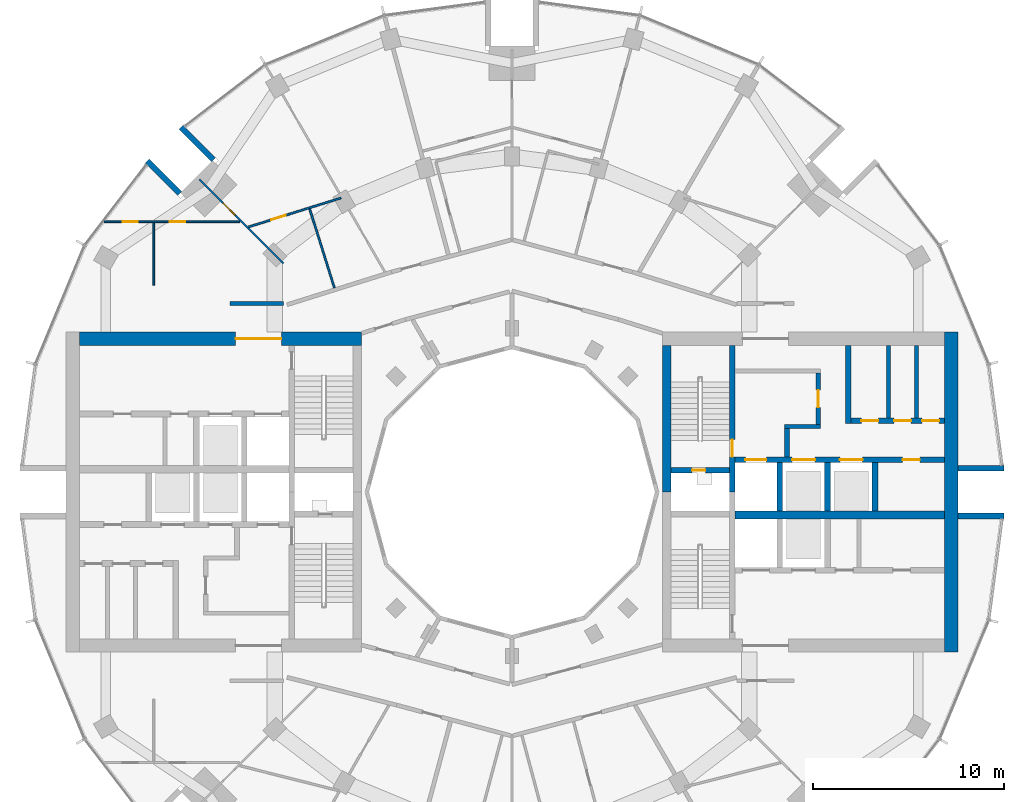
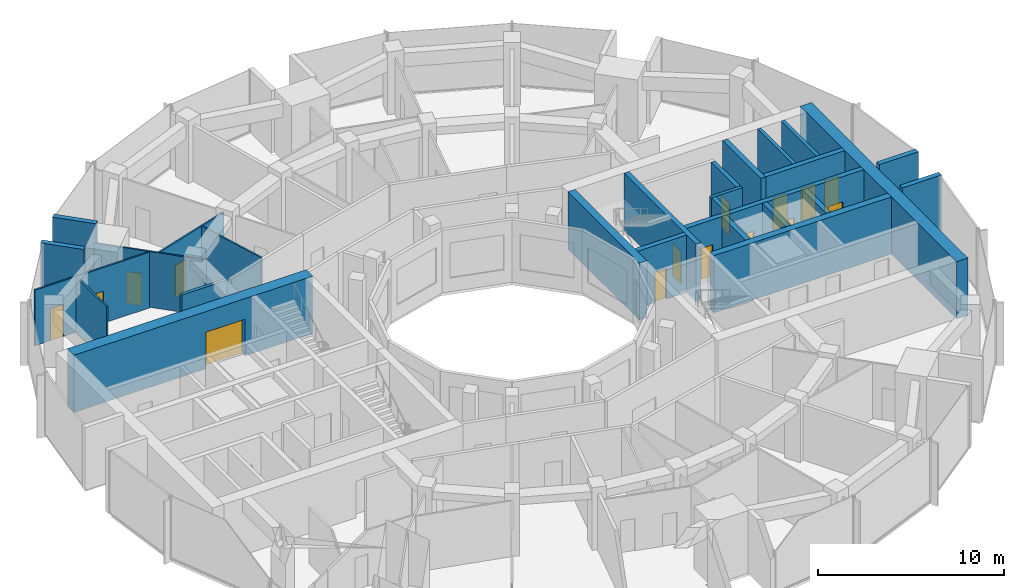
# One storey, part 11 of 15: 27 walls, 15 doors, 15 openings.
"""IFC4 building model written with IfcOpenShell, lengths in metres."""

from ifc_helpers import new_model, si_unit, direction, frame, frame_2d, origin, place, context, subcontext, project, spatial, rectangle, extrude, material, layer, layer_set, type_object, element, fill, save


model = new_model("IFC4")

# Units and contexts
model_context = context("Model", 3, precision=1e-05, world=origin(), true_north=direction((0.0, 1.0)))
body_context = subcontext(model_context, "Body", "Model", "MODEL_VIEW")
ifc_project = project(units=[si_unit("LENGTHUNIT", "METRE"), si_unit("AREAUNIT", "SQUARE_METRE"), si_unit("VOLUMEUNIT", "CUBIC_METRE"), si_unit("PLANEANGLEUNIT", "RADIAN"), si_unit("MASSUNIT", "GRAM", prefix="KILO")], contexts=[model_context])

# Site, building, storey
site_placement = place(None, origin())
site = spatial("IfcSite", under=ifc_project, at=site_placement, CompositionType="ELEMENT")
building_placement = place(site_placement, origin())
building = spatial("IfcBuilding", under=site, at=building_placement, Name="Torre Brocal", CompositionType="ELEMENT")
storey_placement = place(building_placement, frame((0.0, 0.0, 202.800048828125)))
storey = spatial("IfcBuildingStorey", under=building, at=storey_placement, Name="L47", CompositionType="ELEMENT", Elevation=202.800048828125)

# Walls
ifc_material_1 = material(Name="Masonry block", Category="masonry")
ifc_layer_1 = layer(ifc_material_1, 0.199951171875)
ifc_layer_set_1 = layer_set([ifc_layer_1], Name="Masonry block")
wall_type_1 = type_object("IfcWallType", Name="CORE PARTITION 200 UNDER 350 SLAB", PredefinedType="PARTITIONING", material=ifc_layer_set_1)
for number, where, z_axis, x_axis, name in (
    (1, (99.760009765625, 78.89990234375, 0.0), (0.0, 0.0, 1.0), (0.0, 1.0, 0.0), "Wall CP200-S350"),
    (2, (101.22998046875, 78.89990234375, 0.0), (0.0, 0.0, 1.0), (0.0, 1.0, 0.0), "Wall CP200-S350"),
):
    element("IfcWall", number, at=place(storey_placement, frame(where, z_axis=z_axis, x_axis=x_axis)), inside=storey, type_object=wall_type_1, Name=name, PredefinedType="PARTITIONING", context=body_context, shape_type="SweptSolid", body=[
        extrude(rectangle(XDim=3.800048828125, YDim=0.199951171875, at=frame_2d((1.89990234375, 0.0))), origin(), (0.0, 0.0, 1.0), 3.75),
    ])
ifc_material_2 = material(Name="Concrete C70", Category="concrete")
ifc_layer_2 = layer(ifc_material_2, 0.199951171875)
ifc_layer_set_2 = layer_set([ifc_layer_2], Name="Concrete C70")
wall_type_2 = type_object("IfcWallType", Name="CORE WALL 200 C70 UNDER 350 SLAB", PredefinedType="SHEAR", material=ifc_layer_set_2)
wall_1_placement = place(storey_placement, frame((94.300048828125, 78.449951171875, 0.0), z_axis=(0.0, 0.0, 1.0), x_axis=(1.0, 0.0, 0.0)))
element("IfcWall", 3, at=wall_1_placement, inside=storey, type_object=wall_type_2, Name="Wall CW200-70-S350", PredefinedType="SHEAR", context=body_context, shape_type="SweptSolid", body=[
    extrude(rectangle(XDim=1.89990234375, YDim=0.199951171875, at=frame_2d((0.949951171875, 0.0))), origin(), (0.0, 0.0, 1.0), 3.75),
])

# Wall, opening, door
ifc_material_3 = material(Name="Concrete C70", Category="concrete")
ifc_layer_3 = layer(ifc_material_3, 0.25)
ifc_layer_set_3 = layer_set([ifc_layer_3], Name="Concrete C70")
wall_type_3 = type_object("IfcWallType", Name="CORE WALL 250 C70 UNDER 350 SLAB", PredefinedType="SHEAR", material=ifc_layer_set_3)
wall_2_placement = place(storey_placement, frame((96.074951171875, 78.550048828125, 0.0), z_axis=(0.0, 0.0, 1.0), x_axis=(0.0, 1.0, 0.0)))
wall_2 = element("IfcWall", 4, at=wall_2_placement, inside=storey, type_object=wall_type_3, Name="Wall CW250-70-S350", PredefinedType="SHEAR", context=body_context, shape_type="SweptSolid", body=[
    extrude(rectangle(XDim=2.699951171875, YDim=0.25, at=frame_2d((1.35009765625, 0.0))), origin(), (0.0, 0.0, 1.0), 3.75),
])
opening_1_placement = place(wall_2_placement, frame((0.89990234375, 0.0, 0.0)))
opening_1 = element("IfcOpeningElement", 5, at=opening_1_placement, cuts=wall_2, Name="Opening E-D26", PredefinedType="OPENING", context=body_context, shape_type="SweptSolid", body=[
    extrude(rectangle(XDim=0.89990234375, YDim=2.10009765625, at=frame_2d((0.449951171875, 1.050048828125))), frame((0.0, 0.135009765625, 0.0), z_axis=(0.0, -1.0, 0.0), x_axis=(1.0, 0.0, 0.0)), (0.0, 0.0, 1.0), 0.27001953125),
])
ifc_material_4 = material(Name="Steel A653", Category="steel")
door_type_1 = type_object("IfcDoorType", Name="LOBBY DOOR FD120 900X2100", OperationType="SINGLE_SWING_RIGHT", PredefinedType="DOOR", material=ifc_material_4)
door_1_placement = place(opening_1_placement, origin())
door_1 = element("IfcDoor", 6, at=door_1_placement, inside=storey, type_object=door_type_1, Name="Door E-D26", OperationType="SINGLE_SWING_LEFT", OverallHeight=2.10009765625, OverallWidth=0.89990234375, PredefinedType="DOOR", context=body_context, shape_type="SweptSolid", body=[
    extrude(rectangle(XDim=0.89990234375, YDim=2.10009765625, at=frame_2d((0.449951171875, 1.050048828125))), frame((0.0, 0.02490234375, 0.0), z_axis=(0.0, -1.0, 0.0), x_axis=(1.0, 0.0, 0.0)), (0.0, 0.0, 1.0), 0.050048828125),
])
fill(opening_1, door_1)

# Wall
wall_3_placement = place(storey_placement, frame((94.425048828125, 76.85009765625, 0.0), z_axis=(0.0, 0.0, 1.0), x_axis=(0.0, 1.0, 0.0)))
element("IfcWall", 7, at=wall_3_placement, inside=storey, type_object=wall_type_3, Name="Wall CW250-70-S350", PredefinedType="SHEAR", context=body_context, shape_type="SweptSolid", body=[
    extrude(rectangle(XDim=1.5, YDim=0.25, at=frame_2d((0.75, 0.0))), origin(), (0.0, 0.0, 1.0), 3.75),
])

# Wall, opening, door
ifc_material_5 = material(Name="Concrete C70", Category="concrete")
ifc_layer_4 = layer(ifc_material_5, 0.300048828125)
ifc_layer_set_4 = layer_set([ifc_layer_4], Name="Concrete C70")
wall_type_4 = type_object("IfcWallType", Name="CORE WALL 300 C70 UNDER 350 SLAB", PredefinedType="SHEAR", material=ifc_layer_set_4)
wall_4_placement = place(storey_placement, frame((91.550048828125, 75.0, 0.0), z_axis=(0.0, 0.0, 1.0), x_axis=(0.0, 1.0, 0.0)))
wall_4 = element("IfcWall", 8, at=wall_4_placement, inside=storey, type_object=wall_type_4, Name="Wall CW300-70-S350", PredefinedType="SHEAR", context=body_context, shape_type="SweptSolid", body=[
    extrude(rectangle(XDim=7.699951171875, YDim=0.300048828125, at=frame_2d((3.85009765625, 0.0))), origin(), (0.0, 0.0, 1.0), 3.75),
])
opening_2_placement = place(wall_4_placement, frame((1.85009765625, 0.0, 0.0)))
opening_2 = element("IfcOpeningElement", 9, at=opening_2_placement, cuts=wall_4, Name="Opening E-D02", PredefinedType="OPENING", context=body_context, shape_type="SweptSolid", body=[
    extrude(rectangle(XDim=0.89990234375, YDim=2.10009765625, at=frame_2d((0.449951171875, 1.050048828125))), frame((0.0, 0.159912109375, 0.0), z_axis=(0.0, -1.0, 0.0), x_axis=(1.0, 0.0, 0.0)), (0.0, 0.0, 1.0), 0.320068359375),
])
ifc_material_6 = material(Name="Steel A653", Category="steel")
door_type_2 = type_object("IfcDoorType", Name="STAIR DOOR FD120 900X2100", OperationType="SINGLE_SWING_RIGHT", PredefinedType="DOOR", material=ifc_material_6)
door_2_placement = place(opening_2_placement, origin())
door_2 = element("IfcDoor", 10, at=door_2_placement, inside=storey, type_object=door_type_2, Name="Door E-D02", OperationType="SINGLE_SWING_LEFT", OverallHeight=2.10009765625, OverallWidth=0.89990234375, PredefinedType="DOOR", context=body_context, shape_type="SweptSolid", body=[
    extrude(rectangle(XDim=0.89990234375, YDim=2.10009765625, at=frame_2d((0.449951171875, 1.050048828125))), frame((0.0, 0.02490234375, 0.0), z_axis=(0.0, -1.0, 0.0), x_axis=(1.0, 0.0, 0.0)), (0.0, 0.0, 1.0), 0.050048828125),
])
fill(opening_2, door_2)

wall_5_placement = place(storey_placement, frame((88.35009765625, 76.14990234375, 0.0), z_axis=(0.0, 0.0, 1.0), x_axis=(1.0, 0.0, 0.0)))
wall_5 = element("IfcWall", 11, at=wall_5_placement, inside=storey, type_object=wall_type_4, Name="Wall CW300-70-S350", PredefinedType="SHEAR", context=body_context, shape_type="SweptSolid", body=[
    extrude(rectangle(XDim=3.0498046875, YDim=0.300048828125, at=frame_2d((1.52490234375, 0.0))), origin(), (0.0, 0.0, 1.0), 3.75),
])
opening_3_placement = place(wall_5_placement, frame((1.10009765625, 0.0, 0.0)))
opening_3 = element("IfcOpeningElement", 12, at=opening_3_placement, cuts=wall_5, Name="Opening E-D01", PredefinedType="OPENING", context=body_context, shape_type="SweptSolid", body=[
    extrude(rectangle(XDim=0.699951171875, YDim=2.0, at=frame_2d((0.35009765625, 1.0))), frame((0.0, 0.159912109375, 0.0), z_axis=(0.0, -1.0, 0.0), x_axis=(1.0, 0.0, 0.0)), (0.0, 0.0, 1.0), 0.320068359375),
])
ifc_material_7 = material(Name="Steel A653", Category="steel")
door_type_3 = type_object("IfcDoorType", Name="RISER DOOR FD120 700X2000", OperationType="SINGLE_SWING_LEFT", PredefinedType="DOOR", material=ifc_material_7)
door_3_placement = place(opening_3_placement, frame((0.699951171875, 0.0, 0.0), z_axis=(0.0, 0.0, 1.0), x_axis=(-1.0, 0.0, 0.0)))
door_3 = element("IfcDoor", 13, at=door_3_placement, inside=storey, type_object=door_type_3, Name="Door E-D01", OperationType="SINGLE_SWING_RIGHT", OverallHeight=2.0, OverallWidth=0.699951171875, PredefinedType="DOOR", context=body_context, shape_type="SweptSolid", body=[
    extrude(rectangle(XDim=0.699951171875, YDim=2.0, at=frame_2d((0.35009765625, 1.0))), frame((0.0, 0.02490234375, 0.0), z_axis=(0.0, -1.0, 0.0), x_axis=(1.0, 0.0, 0.0)), (0.0, 0.0, 1.0), 0.050048828125),
])
fill(opening_3, door_3)

# Wall, openings, doors
wall_6_placement = place(storey_placement, frame((91.699951171875, 76.699951171875, 0.0), z_axis=(0.0, 0.0, 1.0), x_axis=(1.0, 0.0, 0.0)))
wall_6 = element("IfcWall", 14, at=wall_6_placement, inside=storey, type_object=wall_type_4, Name="Wall CW300-70-S350", PredefinedType="SHEAR", context=body_context, shape_type="SweptSolid", body=[
    extrude(rectangle(XDim=11.0, YDim=0.300048828125, at=frame_2d((5.5, 0.0))), origin(), (0.0, 0.0, 1.0), 3.75),
])
opening_4_placement = place(wall_6_placement, frame((0.550048828125, 0.0, 0.0)))
opening_4 = element("IfcOpeningElement", 15, at=opening_4_placement, cuts=wall_6, Name="Opening LD", PredefinedType="OPENING", context=body_context, shape_type="SweptSolid", body=[
    extrude(rectangle(XDim=1.10009765625, YDim=2.10009765625, at=frame_2d((0.550048828125, 1.050048828125))), frame((0.0, 0.159912109375, 0.0), z_axis=(0.0, -1.0, 0.0), x_axis=(1.0, 0.0, 0.0)), (0.0, 0.0, 1.0), 0.320068359375),
])
opening_5_placement = place(wall_6_placement, frame((3.0, 0.0, 0.0)))
opening_5 = element("IfcOpeningElement", 16, at=opening_5_placement, cuts=wall_6, Name="Opening LD12", PredefinedType="OPENING", context=body_context, shape_type="SweptSolid", body=[
    extrude(rectangle(XDim=1.199951171875, YDim=2.10009765625, at=frame_2d((0.60009765625, 1.050048828125))), frame((0.0, 0.159912109375, 0.0), z_axis=(0.0, -1.0, 0.0), x_axis=(1.0, 0.0, 0.0)), (0.0, 0.0, 1.0), 0.320068359375),
])
opening_6_placement = place(wall_6_placement, frame((5.5, 0.0, 0.0)))
opening_6 = element("IfcOpeningElement", 17, at=opening_6_placement, cuts=wall_6, Name="Opening LD12", PredefinedType="OPENING", context=body_context, shape_type="SweptSolid", body=[
    extrude(rectangle(XDim=1.199951171875, YDim=2.10009765625, at=frame_2d((0.60009765625, 1.050048828125))), frame((0.0, 0.159912109375, 0.0), z_axis=(0.0, -1.0, 0.0), x_axis=(1.0, 0.0, 0.0)), (0.0, 0.0, 1.0), 0.320068359375),
])
opening_7_placement = place(wall_6_placement, frame((8.800048828125, 0.0, 0.0)))
opening_7 = element("IfcOpeningElement", 18, at=opening_7_placement, cuts=wall_6, Name="Opening E-D04", PredefinedType="OPENING", context=body_context, shape_type="SweptSolid", body=[
    extrude(rectangle(XDim=0.89990234375, YDim=2.10009765625, at=frame_2d((0.449951171875, 1.050048828125))), frame((0.0, 0.159912109375, 0.0), z_axis=(0.0, -1.0, 0.0), x_axis=(1.0, 0.0, 0.0)), (0.0, 0.0, 1.0), 0.320068359375),
])
ifc_material_8 = material(Name="Stainless steel AISI 316", Category="steel")
door_type_4 = type_object("IfcDoorType", Name="LIFT LANDING DOOR 1100X2100", OperationType="DOUBLE_DOOR_SLIDING", PredefinedType="DOOR", material=ifc_material_8)
door_4_placement = place(opening_4_placement, origin())
door_4 = element("IfcDoor", 19, at=door_4_placement, inside=storey, type_object=door_type_4, Name="Door LD", OperationType="DOUBLE_DOOR_SLIDING", OverallHeight=2.10009765625, OverallWidth=1.10009765625, PredefinedType="DOOR", context=body_context, shape_type="SweptSolid", body=[
    extrude(rectangle(XDim=1.10009765625, YDim=2.10009765625, at=frame_2d((0.550048828125, 1.050048828125))), frame((0.0, 0.02490234375, 0.0), z_axis=(0.0, -1.0, 0.0), x_axis=(1.0, 0.0, 0.0)), (0.0, 0.0, 1.0), 0.050048828125),
])
fill(opening_4, door_4)
ifc_material_9 = material(Name="Stainless steel AISI 316", Category="steel")
door_type_5 = type_object("IfcDoorType", Name="LIFT LANDING DOOR 1200X2100", OperationType="DOUBLE_DOOR_SLIDING", PredefinedType="DOOR", material=ifc_material_9)
door_5_placement = place(opening_5_placement, origin())
door_5 = element("IfcDoor", 20, at=door_5_placement, inside=storey, type_object=door_type_5, Name="Door LD12", OperationType="DOUBLE_DOOR_SLIDING", OverallHeight=2.10009765625, OverallWidth=1.199951171875, PredefinedType="DOOR", context=body_context, shape_type="SweptSolid", body=[
    extrude(rectangle(XDim=1.199951171875, YDim=2.10009765625, at=frame_2d((0.60009765625, 1.050048828125))), frame((0.0, 0.02490234375, 0.0), z_axis=(0.0, -1.0, 0.0), x_axis=(1.0, 0.0, 0.0)), (0.0, 0.0, 1.0), 0.050048828125),
])
fill(opening_5, door_5)
door_6_placement = place(opening_6_placement, origin())
door_6 = element("IfcDoor", 21, at=door_6_placement, inside=storey, type_object=door_type_5, Name="Door LD12", OperationType="DOUBLE_DOOR_SLIDING", OverallHeight=2.10009765625, OverallWidth=1.199951171875, PredefinedType="DOOR", context=body_context, shape_type="SweptSolid", body=[
    extrude(rectangle(XDim=1.199951171875, YDim=2.10009765625, at=frame_2d((0.60009765625, 1.050048828125))), frame((0.0, 0.02490234375, 0.0), z_axis=(0.0, -1.0, 0.0), x_axis=(1.0, 0.0, 0.0)), (0.0, 0.0, 1.0), 0.050048828125),
])
fill(opening_6, door_6)
ifc_material_10 = material(Name="Steel A653", Category="steel")
door_type_6 = type_object("IfcDoorType", Name="ROOM DOOR FD30S 900X2100", OperationType="SINGLE_SWING_LEFT", PredefinedType="DOOR", material=ifc_material_10)
door_7_placement = place(opening_7_placement, frame((0.89990234375, 0.0, 0.0), z_axis=(0.0, 0.0, 1.0), x_axis=(-1.0, 0.0, 0.0)))
door_7 = element("IfcDoor", 22, at=door_7_placement, inside=storey, type_object=door_type_6, Name="Door E-D04", OperationType="SINGLE_SWING_LEFT", OverallHeight=2.10009765625, OverallWidth=0.89990234375, PredefinedType="DOOR", context=body_context, shape_type="SweptSolid", body=[
    extrude(rectangle(XDim=0.89990234375, YDim=2.10009765625, at=frame_2d((0.449951171875, 1.050048828125))), frame((0.0, 0.02490234375, 0.0), z_axis=(0.0, -1.0, 0.0), x_axis=(1.0, 0.0, 0.0)), (0.0, 0.0, 1.0), 0.050048828125),
])
fill(opening_7, door_7)

# Walls
for number, where, z_axis, x_axis, name in (
    (23, (94.050048828125, 74.0, 0.0), (0.0, 0.0, 1.0), (0.0, 1.0, 0.0), "Wall CW300-70-S350"),
    (24, (96.550048828125, 74.0, 0.0), (0.0, 0.0, 1.0), (0.0, 1.0, 0.0), "Wall CW300-70-S350"),
    (25, (99.050048828125, 74.0, 0.0), (0.0, 0.0, 1.0), (0.0, 1.0, 0.0), "Wall CW300-70-S350"),
):
    element("IfcWall", number, at=place(storey_placement, frame(where, z_axis=z_axis, x_axis=x_axis)), inside=storey, type_object=wall_type_4, Name=name, PredefinedType="SHEAR", context=body_context, shape_type="SweptSolid", body=[
        extrude(rectangle(XDim=2.550048828125, YDim=0.300048828125, at=frame_2d((1.27490234375, 0.0))), origin(), (0.0, 0.0, 1.0), 3.75),
    ])
wall_7_placement = place(storey_placement, frame((97.64990234375, 78.60009765625, 0.0), z_axis=(0.0, 0.0, 1.0), x_axis=(0.0, 1.0, 0.0)))
element("IfcWall", 26, at=wall_7_placement, inside=storey, type_object=wall_type_4, Name="Wall CW300-70-S350", PredefinedType="SHEAR", context=body_context, shape_type="SweptSolid", body=[
    extrude(rectangle(XDim=4.099853515625, YDim=0.300048828125, at=frame_2d((2.0498046875, 0.0))), origin(), (0.0, 0.0, 1.0), 3.75),
])

# Wall, openings, doors
wall_8_placement = place(storey_placement, frame((97.800048828125, 78.75, 0.0), z_axis=(0.0, 0.0, 1.0), x_axis=(1.0, 0.0, 0.0)))
wall_8 = element("IfcWall", 27, at=wall_8_placement, inside=storey, type_object=wall_type_4, Name="Wall CW300-70-S350", PredefinedType="SHEAR", context=body_context, shape_type="SweptSolid", body=[
    extrude(rectangle(XDim=4.89990234375, YDim=0.300048828125, at=frame_2d((2.449951171875, 0.0))), origin(), (0.0, 0.0, 1.0), 3.75),
])
opening_8_placement = place(wall_8_placement, frame((0.530029296875, 0.0, 0.0)))
opening_8 = element("IfcOpeningElement", 28, at=opening_8_placement, cuts=wall_8, Name="Opening E-D28", PredefinedType="OPENING", context=body_context, shape_type="SweptSolid", body=[
    extrude(rectangle(XDim=0.89990234375, YDim=2.10009765625, at=frame_2d((0.449951171875, 1.050048828125))), frame((0.0, 0.159912109375, 0.0), z_axis=(0.0, -1.0, 0.0), x_axis=(1.0, 0.0, 0.0)), (0.0, 0.0, 1.0), 0.320068359375),
])
opening_9_placement = place(wall_8_placement, frame((2.2451171875, 0.0, 0.0)))
opening_9 = element("IfcOpeningElement", 29, at=opening_9_placement, cuts=wall_8, Name="Opening E-D09", PredefinedType="OPENING", context=body_context, shape_type="SweptSolid", body=[
    extrude(rectangle(XDim=0.89990234375, YDim=2.10009765625, at=frame_2d((0.449951171875, 1.050048828125))), frame((0.0, 0.159912109375, 0.0), z_axis=(0.0, -1.0, 0.0), x_axis=(1.0, 0.0, 0.0)), (0.0, 0.0, 1.0), 0.320068359375),
])
opening_10_placement = place(wall_8_placement, frame((3.715087890625, 0.0, 0.0)))
opening_10 = element("IfcOpeningElement", 30, at=opening_10_placement, cuts=wall_8, Name="Opening E-D10", PredefinedType="OPENING", context=body_context, shape_type="SweptSolid", body=[
    extrude(rectangle(XDim=0.89990234375, YDim=2.10009765625, at=frame_2d((0.449951171875, 1.050048828125))), frame((0.0, 0.159912109375, 0.0), z_axis=(0.0, -1.0, 0.0), x_axis=(1.0, 0.0, 0.0)), (0.0, 0.0, 1.0), 0.320068359375),
])
door_8_placement = place(opening_8_placement, origin())
door_8 = element("IfcDoor", 31, at=door_8_placement, inside=storey, type_object=door_type_6, Name="Door E-D28", OperationType="SINGLE_SWING_RIGHT", OverallHeight=2.10009765625, OverallWidth=0.89990234375, PredefinedType="DOOR", context=body_context, shape_type="SweptSolid", body=[
    extrude(rectangle(XDim=0.89990234375, YDim=2.10009765625, at=frame_2d((0.449951171875, 1.050048828125))), frame((0.0, 0.02490234375, 0.0), z_axis=(0.0, -1.0, 0.0), x_axis=(1.0, 0.0, 0.0)), (0.0, 0.0, 1.0), 0.050048828125),
])
fill(opening_8, door_8)
door_9_placement = place(opening_9_placement, origin())
door_9 = element("IfcDoor", 32, at=door_9_placement, inside=storey, type_object=door_type_6, Name="Door E-D09", OperationType="SINGLE_SWING_LEFT", OverallHeight=2.10009765625, OverallWidth=0.89990234375, PredefinedType="DOOR", context=body_context, shape_type="SweptSolid", body=[
    extrude(rectangle(XDim=0.89990234375, YDim=2.10009765625, at=frame_2d((0.449951171875, 1.050048828125))), frame((0.0, 0.02490234375, 0.0), z_axis=(0.0, -1.0, 0.0), x_axis=(1.0, 0.0, 0.0)), (0.0, 0.0, 1.0), 0.050048828125),
])
fill(opening_9, door_9)
door_10_placement = place(opening_10_placement, origin())
door_10 = element("IfcDoor", 33, at=door_10_placement, inside=storey, type_object=door_type_6, Name="Door E-D10", OperationType="SINGLE_SWING_LEFT", OverallHeight=2.10009765625, OverallWidth=0.89990234375, PredefinedType="DOOR", context=body_context, shape_type="SweptSolid", body=[
    extrude(rectangle(XDim=0.89990234375, YDim=2.10009765625, at=frame_2d((0.449951171875, 1.050048828125))), frame((0.0, 0.02490234375, 0.0), z_axis=(0.0, -1.0, 0.0), x_axis=(1.0, 0.0, 0.0)), (0.0, 0.0, 1.0), 0.050048828125),
])
fill(opening_10, door_10)

# Walls
ifc_material_11 = material(Name="Concrete C70", Category="concrete")
ifc_layer_5 = layer(ifc_material_11, 0.39990234375)
ifc_layer_set_5 = layer_set([ifc_layer_5], Name="Concrete C70")
wall_type_5 = type_object("IfcWallType", Name="CORE WALL 400 C70 UNDER 350 SLAB", PredefinedType="SHEAR", material=ifc_layer_set_5)
wall_9_placement = place(storey_placement, frame((91.699951171875, 73.800048828125, 0.0), z_axis=(0.0, 0.0, 1.0), x_axis=(1.0, 0.0, 0.0)))
element("IfcWall", 34, at=wall_9_placement, inside=storey, type_object=wall_type_5, Name="Wall CW400-70-S350", PredefinedType="SHEAR", context=body_context, shape_type="SweptSolid", body=[
    extrude(rectangle(XDim=11.0, YDim=0.39990234375, at=frame_2d((5.5, 0.0))), origin(), (0.0, 0.0, 1.0), 3.75),
])
ifc_material_12 = material(Name="Concrete C70", Category="concrete")
ifc_layer_6 = layer(ifc_material_12, 0.449951171875)
ifc_layer_set_6 = layer_set([ifc_layer_6], Name="Concrete C70")
wall_type_6 = type_object("IfcWallType", Name="CORE WALL 450 C70 UNDER 350 SLAB", PredefinedType="SHEAR", material=ifc_layer_set_6)
wall_10_placement = place(storey_placement, frame((88.125, 75.0, 0.0), z_axis=(0.0, 0.0, 1.0), x_axis=(0.0, 1.0, 0.0)))
element("IfcWall", 35, at=wall_10_placement, inside=storey, type_object=wall_type_6, Name="Wall CW450-70-S350", PredefinedType="SHEAR", context=body_context, shape_type="SweptSolid", body=[
    extrude(rectangle(XDim=7.699951171875, YDim=0.449951171875, at=frame_2d((3.85009765625, 0.0))), origin(), (0.0, 0.0, 1.0), 3.75),
])
ifc_material_13 = material(Name="Concrete C70", Category="concrete")
ifc_layer_7 = layer(ifc_material_13, 0.699951171875)
ifc_layer_set_7 = layer_set([ifc_layer_7], Name="Concrete C70")
wall_type_7 = type_object("IfcWallType", Name="CORE WALL 700 C70 UNDER 350 SLAB", PredefinedType="SHEAR", material=ifc_layer_set_7)
wall_11_placement = place(storey_placement, frame((103.050048828125, 66.60009765625, 0.0), z_axis=(0.0, 0.0, 1.0), x_axis=(0.0, 1.0, 0.0)))
element("IfcWall", 36, at=wall_11_placement, inside=storey, type_object=wall_type_7, Name="Wall CW700-70-S350", PredefinedType="SHEAR", context=body_context, shape_type="SweptSolid", body=[
    extrude(rectangle(XDim=16.7998046875, YDim=0.699951171875, at=frame_2d((8.39990234375, 0.0))), origin(), (0.0, 0.0, 1.0), 3.75),
])

# Wall, opening, door
wall_12_placement = place(storey_placement, frame((72.10009765625, 83.050048828125, 0.0), z_axis=(0.0, 0.0, 1.0), x_axis=(-1.0, 0.0, 0.0)))
wall_12 = element("IfcWall", 37, at=wall_12_placement, inside=storey, type_object=wall_type_7, Name="Wall CW700-70-S350", PredefinedType="SHEAR", context=body_context, shape_type="SweptSolid", body=[
    extrude(rectangle(XDim=14.800048828125, YDim=0.699951171875, at=frame_2d((7.39990234375, 0.0))), origin(), (0.0, 0.0, 1.0), 3.75),
])
opening_11_placement = place(wall_12_placement, frame((4.199951171875, 0.0, 0.0)))
opening_11 = element("IfcOpeningElement", 38, at=opening_11_placement, cuts=wall_12, Name="Opening W-D12", PredefinedType="OPENING", context=body_context, shape_type="SweptSolid", body=[
    extrude(rectangle(XDim=2.39990234375, YDim=2.39990234375, at=frame_2d((1.199951171875, 1.199951171875))), frame((0.0, 0.35986328125, 0.0), z_axis=(0.0, -1.0, 0.0), x_axis=(1.0, 0.0, 0.0)), (0.0, 0.0, 1.0), 0.719970703125),
])
ifc_material_14 = material(Name="Steel A653", Category="steel")
door_type_7 = type_object("IfcDoorType", Name="DOUBLE FIRE DOOR FD90 2400X2400", OperationType="DOUBLE_DOOR_SINGLE_SWING", PredefinedType="DOOR", material=ifc_material_14)
door_11_placement = place(opening_11_placement, origin())
door_11 = element("IfcDoor", 39, at=door_11_placement, inside=storey, type_object=door_type_7, Name="Door W-D12", OperationType="DOUBLE_DOOR_SINGLE_SWING", OverallHeight=2.39990234375, OverallWidth=2.39990234375, PredefinedType="DOOR", context=body_context, shape_type="SweptSolid", body=[
    extrude(rectangle(XDim=2.39990234375, YDim=2.39990234375, at=frame_2d((1.199951171875, 1.199951171875))), frame((0.0, 0.02490234375, 0.0), z_axis=(0.0, -1.0, 0.0), x_axis=(1.0, 0.0, 0.0)), (0.0, 0.0, 1.0), 0.050048828125),
])
fill(opening_11, door_11)

# Walls
ifc_material_15 = material(Name="Concrete C70", Category="concrete")
ifc_layer_8 = layer(ifc_material_15, 0.300048828125)
ifc_layer_set_8 = layer_set([ifc_layer_8], Name="Concrete C70")
wall_type_8 = type_object("IfcWallType", Name="NOTCH RETURN WALL 300 C70", PredefinedType="NOTDEFINED", material=ifc_layer_set_8)
for number, where, z_axis, x_axis, name in (
    (40, (103.39990234375, 73.75, 0.0), (0.0, 0.0, 1.0), (1.0, 0.0, 0.0), "NOTCH RETURN WALL"),
    (41, (103.39990234375, 76.25, 0.0), (0.0, 0.0, 1.0), (1.0, 0.0, 0.0), "NOTCH RETURN WALL"),
    (42, (64.337646484375, 92.43017578125, 0.0), (0.0, 0.0, 1.0), (-0.707106781187, 0.707106781187, 0.0), "NOTCH RETURN WALL"),
    (43, (62.56982421875, 90.662353515625, 0.0), (0.0, 0.0, 1.0), (-0.707106781187, 0.707106781187, 0.0), "NOTCH RETURN WALL"),
):
    element("IfcWall", number, at=place(storey_placement, frame(where, z_axis=z_axis, x_axis=x_axis)), inside=storey, type_object=wall_type_8, Name=name, PredefinedType="NOTDEFINED", context=body_context, shape_type="SweptSolid", body=[
        extrude(rectangle(XDim=2.415771484375, YDim=0.300048828125, at=frame_2d((1.2080078125, 0.0))), origin(), (0.0, 0.0, 1.0), 4.099853515625),
    ])

# Wall, openings, doors
ifc_material_16 = material(Name="Gypsum board", Category="Gypsum")
ifc_layer_9 = layer(ifc_material_16, 0.10009765625)
ifc_layer_set_9 = layer_set([ifc_layer_9], Name="Gypsum board")
wall_type_9 = type_object("IfcWallType", Name="PARTITION 100", PredefinedType="PARTITIONING", material=ifc_layer_set_9)
wall_13_placement = place(storey_placement, frame((58.60009765625, 89.18798828125, 0.0), z_axis=(0.0, 0.0, 1.0), x_axis=(1.0, 0.0, 0.0)))
wall_13 = element("IfcWall", 44, at=wall_13_placement, inside=storey, type_object=wall_type_9, Name="BATHROOM WALL", PredefinedType="PARTITIONING", context=body_context, shape_type="SweptSolid", body=[
    extrude(rectangle(XDim=7.10205078125, YDim=0.10009765625, at=frame_2d((3.551025390625, 0.0))), origin(), (0.0, 0.0, 1.0), 3.64990234375),
])
opening_12_placement = place(wall_13_placement, frame((3.446533203125, 0.0, 0.0)))
opening_12 = element("IfcOpeningElement", 45, at=opening_12_placement, cuts=wall_13, Name="Opening R04-D16", PredefinedType="OPENING", context=body_context, shape_type="SweptSolid", body=[
    extrude(rectangle(XDim=0.800048828125, YDim=2.10009765625, at=frame_2d((0.39990234375, 1.050048828125))), frame((0.0, 0.06005859375, 0.0), z_axis=(0.0, -1.0, 0.0), x_axis=(1.0, 0.0, 0.0)), (0.0, 0.0, 1.0), 0.1201171875),
])
opening_13_placement = place(wall_13_placement, frame((0.965087890625, 0.0, 0.0)))
opening_13 = element("IfcOpeningElement", 46, at=opening_13_placement, cuts=wall_13, Name="Opening R04-D17", PredefinedType="OPENING", context=body_context, shape_type="SweptSolid", body=[
    extrude(rectangle(XDim=0.800048828125, YDim=2.10009765625, at=frame_2d((0.39990234375, 1.050048828125))), frame((0.0, 0.06005859375, 0.0), z_axis=(0.0, -1.0, 0.0), x_axis=(1.0, 0.0, 0.0)), (0.0, 0.0, 1.0), 0.1201171875),
])
ifc_material_17 = material(Name="Timber", Category="wood")
door_type_8 = type_object("IfcDoorType", Name="BATHROOM DOOR 800X2100", OperationType="SINGLE_SWING_LEFT", PredefinedType="DOOR", material=ifc_material_17)
door_12_placement = place(opening_12_placement, frame((0.800048828125, 0.0, 0.0), z_axis=(0.0, 0.0, 1.0), x_axis=(-1.0, 0.0, 0.0)))
door_12 = element("IfcDoor", 47, at=door_12_placement, inside=storey, type_object=door_type_8, Name="R04-D16", OperationType="SINGLE_SWING_RIGHT", OverallHeight=2.10009765625, OverallWidth=0.800048828125, PredefinedType="DOOR", context=body_context, shape_type="SweptSolid", body=[
    extrude(rectangle(XDim=0.800048828125, YDim=2.10009765625, at=frame_2d((0.39990234375, 1.050048828125))), frame((0.0, 0.02490234375, 0.0), z_axis=(0.0, -1.0, 0.0), x_axis=(1.0, 0.0, 0.0)), (0.0, 0.0, 1.0), 0.050048828125),
])
fill(opening_12, door_12)
door_13_placement = place(opening_13_placement, origin())
door_13 = element("IfcDoor", 48, at=door_13_placement, inside=storey, type_object=door_type_8, Name="R04-D17", OperationType="SINGLE_SWING_LEFT", OverallHeight=2.10009765625, OverallWidth=0.800048828125, PredefinedType="DOOR", context=body_context, shape_type="SweptSolid", body=[
    extrude(rectangle(XDim=0.800048828125, YDim=2.10009765625, at=frame_2d((0.39990234375, 1.050048828125))), frame((0.0, 0.02490234375, 0.0), z_axis=(0.0, -1.0, 0.0), x_axis=(1.0, 0.0, 0.0)), (0.0, 0.0, 1.0), 0.050048828125),
])
fill(opening_13, door_13)

# Wall
wall_14_placement = place(storey_placement, frame((61.199951171875, 85.85498046875, 0.0), z_axis=(0.0, 0.0, 1.0), x_axis=(0.0, 1.0, 0.0)))
element("IfcWall", 49, at=wall_14_placement, inside=storey, type_object=wall_type_9, Name="BATHROOM WALL", PredefinedType="PARTITIONING", context=body_context, shape_type="SweptSolid", body=[
    extrude(rectangle(XDim=3.282958984375, YDim=0.10009765625, at=frame_2d((1.6416015625, 0.0))), origin(), (0.0, 0.0, 1.0), 3.64990234375),
])

# Wall, opening, door
wall_15_placement = place(storey_placement, frame((63.5986328125, 91.408203125, 0.0), z_axis=(0.0, 0.0, 1.0), x_axis=(0.706949994766, -0.70726353285, 0.0)))
wall_15 = element("IfcWall", 50, at=wall_15_placement, inside=storey, type_object=wall_type_9, Name="BATHROOM WALL", PredefinedType="PARTITIONING", context=body_context, shape_type="SweptSolid", body=[
    extrude(rectangle(XDim=6.229248046875, YDim=0.10009765625, at=frame_2d((3.11474609375, 0.0))), origin(), (0.0, 0.0, 1.0), 3.64990234375),
])
opening_14_placement = place(wall_15_placement, frame((1.752685546875, 0.0, 0.0)))
opening_14 = element("IfcOpeningElement", 51, at=opening_14_placement, cuts=wall_15, Name="Opening R04-D15", PredefinedType="OPENING", context=body_context, shape_type="SweptSolid", body=[
    extrude(rectangle(XDim=0.89990234375, YDim=2.10009765625, at=frame_2d((0.449951171875, 1.050048828125))), frame((0.0, 0.06005859375, 0.0), z_axis=(0.0, -1.0, 0.0), x_axis=(1.0, 0.0, 0.0)), (0.0, 0.0, 1.0), 0.1201171875),
])
ifc_material_18 = material(Name="Timber", Category="wood")
door_type_9 = type_object("IfcDoorType", Name="ROOM DOOR 900X2100", OperationType="SINGLE_SWING_LEFT", PredefinedType="DOOR", material=ifc_material_18)
door_14_placement = place(opening_14_placement, frame((0.89990234375, 0.0, 0.0), z_axis=(0.0, 0.0, 1.0), x_axis=(-1.0, 0.0, 0.0)))
door_14 = element("IfcDoor", 52, at=door_14_placement, inside=storey, type_object=door_type_9, Name="R04-D15", OperationType="SINGLE_SWING_RIGHT", OverallHeight=2.10009765625, OverallWidth=0.89990234375, PredefinedType="DOOR", context=body_context, shape_type="SweptSolid", body=[
    extrude(rectangle(XDim=0.89990234375, YDim=2.10009765625, at=frame_2d((0.449951171875, 1.050048828125))), frame((0.0, 0.02490234375, 0.0), z_axis=(0.0, -1.0, 0.0), x_axis=(1.0, 0.0, 0.0)), (0.0, 0.0, 1.0), 0.050048828125),
])
fill(opening_14, door_14)

wall_16_placement = place(storey_placement, frame((66.18408203125, 88.917236328125, 0.0), z_axis=(0.0, 0.0, 1.0), x_axis=(0.954213083528, 0.299127717246, 0.0)))
wall_16 = element("IfcWall", 53, at=wall_16_placement, inside=storey, type_object=wall_type_9, Name="BATHROOM WALL", PredefinedType="PARTITIONING", context=body_context, shape_type="SweptSolid", body=[
    extrude(rectangle(XDim=5.0693359375, YDim=0.10009765625, at=frame_2d((2.53466796875, 0.0))), origin(), (0.0, 0.0, 1.0), 3.64990234375),
])
opening_15_placement = place(wall_16_placement, frame((1.237060546875, 0.0, 0.0)))
opening_15 = element("IfcOpeningElement", 54, at=opening_15_placement, cuts=wall_16, Name="Opening R04-D13", PredefinedType="OPENING", context=body_context, shape_type="SweptSolid", body=[
    extrude(rectangle(XDim=0.800048828125, YDim=2.10009765625, at=frame_2d((0.39990234375, 1.050048828125))), frame((0.0, 0.06005859375, 0.0), z_axis=(0.0, -1.0, 0.0), x_axis=(1.0, 0.0, 0.0)), (0.0, 0.0, 1.0), 0.1201171875),
])
door_15_placement = place(opening_15_placement, frame((0.800048828125, 0.0, 0.0), z_axis=(0.0, 0.0, 1.0), x_axis=(-1.0, 0.0, 0.0)))
door_15 = element("IfcDoor", 55, at=door_15_placement, inside=storey, type_object=door_type_8, Name="R04-D13", OperationType="SINGLE_SWING_RIGHT", OverallHeight=2.10009765625, OverallWidth=0.800048828125, PredefinedType="DOOR", context=body_context, shape_type="SweptSolid", body=[
    extrude(rectangle(XDim=0.800048828125, YDim=2.10009765625, at=frame_2d((0.39990234375, 1.050048828125))), frame((0.0, 0.02490234375, 0.0), z_axis=(0.0, -1.0, 0.0), x_axis=(1.0, 0.0, 0.0)), (0.0, 0.0, 1.0), 0.050048828125),
])
fill(opening_15, door_15)

# Walls
wall_17_placement = place(storey_placement, frame((69.381103515625, 89.8671875, 0.0), z_axis=(0.0, 0.0, 1.0), x_axis=(0.29908659099, -0.954225974856, 0.0)))
element("IfcWall", 56, at=wall_17_placement, inside=storey, type_object=wall_type_9, Name="BATHROOM WALL", PredefinedType="PARTITIONING", context=body_context, shape_type="SweptSolid", body=[
    extrude(rectangle(XDim=4.35009765625, YDim=0.10009765625, at=frame_2d((2.175048828125, 0.0))), origin(), (0.0, 0.0, 1.0), 3.64990234375),
])
ifc_material_19 = material(Name="Gypsum board", Category="Gypsum")
ifc_layer_10 = layer(ifc_material_19, 0.199951171875)
ifc_layer_set_10 = layer_set([ifc_layer_10], Name="Gypsum board")
wall_type_10 = type_object("IfcWallType", Name="PARTITION 200 EI60", PredefinedType="PARTITIONING", material=ifc_layer_set_10)
wall_18_placement = place(storey_placement, frame((65.199951171875, 84.89990234375, 0.0), z_axis=(0.0, 0.0, 1.0), x_axis=(1.0, 0.0, 0.0)))
element("IfcWall", 57, at=wall_18_placement, inside=storey, type_object=wall_type_10, Name="GUESTROOM CORRIDOR WALL", PredefinedType="PARTITIONING", context=body_context, shape_type="SweptSolid", body=[
    extrude(rectangle(XDim=2.800048828125, YDim=0.199951171875, at=frame_2d((1.39990234375, 0.0))), origin(), (0.0, 0.0, 1.0), 3.64990234375),
])

save(model, "model.ifc")
